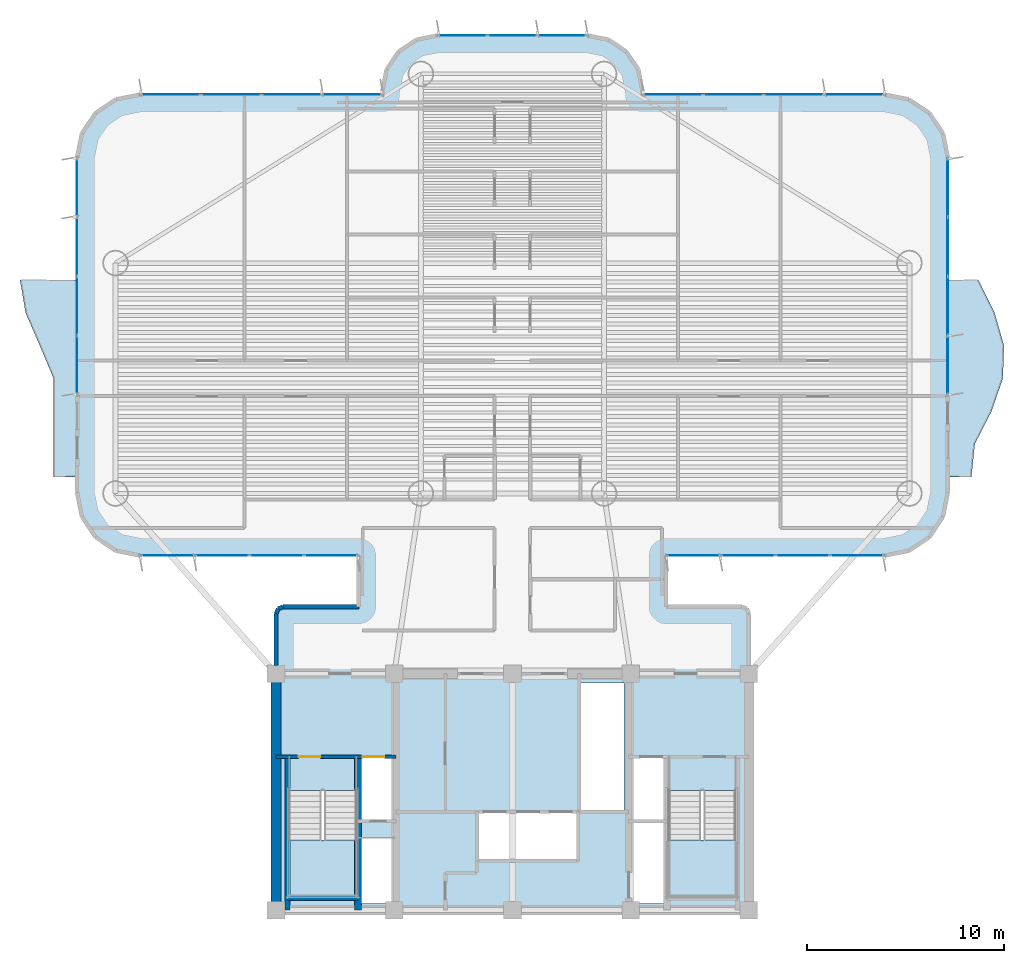
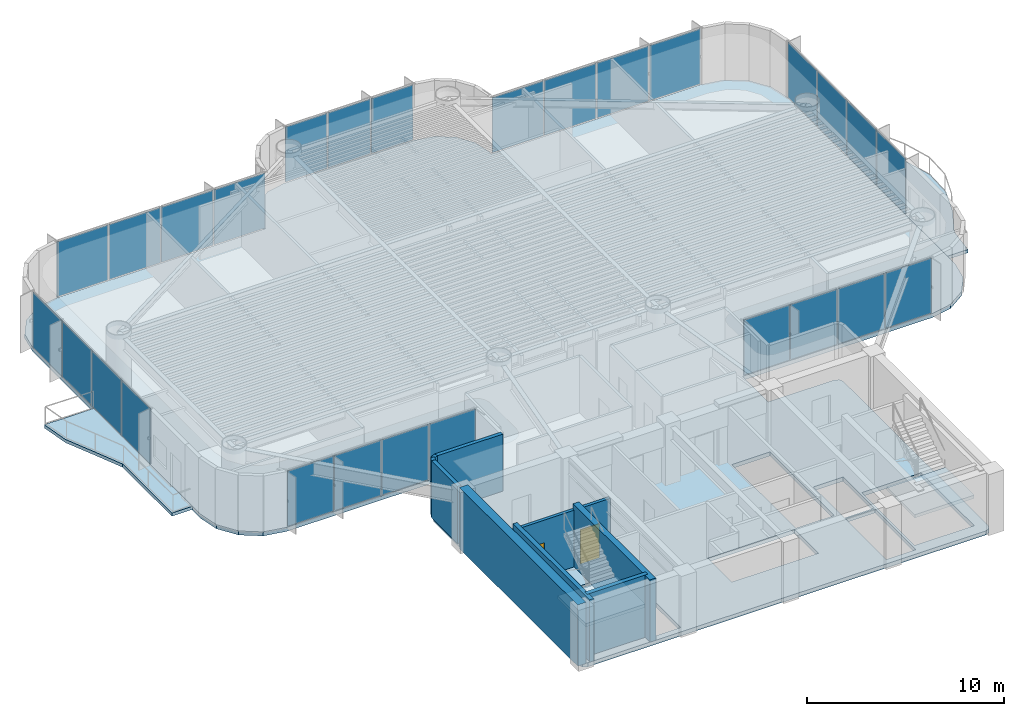
# One storey, part 8 of 16: 27 plates, 9 walls, 5 slabs, 2 doors, 2 openings, 9 elements without a shape of their own.
"""IFC4 building model written with IfcOpenShell, lengths in metres."""

from ifc_helpers import new_model, si_unit, direction, frame, frame_2d, origin, origin_2d, place, context, subcontext, project, spatial, polyline, rectangle, outline, extrude, source, transform, mapped, material, layer, layer_set, type_object, element, fill, aggregate, save


model = new_model("IFC4")

# Units and contexts
model_context = context("Model", 3, precision=1e-05, world=origin(), true_north=direction((0.0, 1.0)))
body_context = subcontext(model_context, "Body", "Model", "MODEL_VIEW")
ifc_project = project(units=[si_unit("LENGTHUNIT", "METRE"), si_unit("AREAUNIT", "SQUARE_METRE"), si_unit("VOLUMEUNIT", "CUBIC_METRE"), si_unit("PLANEANGLEUNIT", "RADIAN"), si_unit("MASSUNIT", "GRAM", prefix="KILO")], contexts=[model_context])

# Site, building, storey
site_placement = place(None, origin())
site = spatial("IfcSite", under=ifc_project, at=site_placement, CompositionType="ELEMENT")
building_placement = place(site_placement, origin())
building = spatial("IfcBuilding", under=site, at=building_placement, Name="Brelvock Crest Care Tower", CompositionType="ELEMENT")
storey_placement = place(building_placement, frame((0.0, 0.0, 101.159912109375)))
storey = spatial("IfcBuildingStorey", under=building, at=storey_placement, Name="L25", CompositionType="ELEMENT", Elevation=101.159912109375)

# Slabs
ifc_material_1 = material(Name="Concrete N50 (50 MPa)", Category="concrete")
ifc_layer_1 = layer(ifc_material_1, 0.22998046875, Name="SLB-FL4")
ifc_layer_set_1 = layer_set([ifc_layer_1], Name="Concrete N50 (50 MPa)")
slab_type_1 = type_object("IfcSlabType", Name="SLB-FL4", PredefinedType="FLOOR", material=ifc_layer_set_1)
slab_1_placement = place(storey_placement, frame((0.0, 0.0, -0.25)))
element("IfcSlab", 1, at=slab_1_placement, inside=storey, type_object=slab_type_1, Name="L25 Main Structural Slab", PredefinedType="FLOOR", context=body_context, shape_type="SweptSolid", body=[
    extrude(outline(polyline([(47.64990234375, 21.39990234375), (43.800048828125, 21.39990234375), (43.800048828125, 24.0), (54.89990234375, 24.0), (56.12451171875, 24.24365234375), (57.16259765625, 24.937255859375), (57.8564453125, 25.975341796875), (58.10009765625, 27.199951171875), (58.10009765625, 44.199951171875), (57.8564453125, 45.424560546875), (57.16259765625, 46.462646484375), (56.12451171875, 47.156494140625), (54.89990234375, 47.39990234375), (42.60009765625, 47.39990234375), (42.60009765625, 47.60009765625), (42.386962890625, 48.67138671875), (41.77978515625, 49.579833984375), (40.87158203125, 50.18701171875), (39.800048828125, 50.39990234375), (32.199951171875, 50.39990234375), (31.12841796875, 50.18701171875), (30.22021484375, 49.579833984375), (29.613037109375, 48.67138671875), (29.39990234375, 47.60009765625), (29.39990234375, 47.39990234375), (17.10009765625, 47.39990234375), (15.87548828125, 47.156494140625), (14.83740234375, 46.462646484375), (14.1435546875, 45.424560546875), (13.89990234375, 44.199951171875), (13.89990234375, 27.199951171875), (14.1435546875, 25.975341796875), (14.83740234375, 24.937255859375), (15.87548828125, 24.24365234375), (17.10009765625, 24.0), (28.199951171875, 24.0), (28.199951171875, 21.39990234375), (24.35009765625, 21.39990234375), (24.1025390625, 21.297607421875), (24.0, 21.050048828125), (24.0, 6.35009765625), (24.1025390625, 6.1025390625), (24.35009765625, 6.0), (47.64990234375, 6.0), (47.8974609375, 6.1025390625), (48.0, 6.35009765625), (48.0, 21.050048828125), (47.8974609375, 21.297607421875), (47.64990234375, 21.39990234375)]), holes=[polyline([(28.239990234375, 10.580078125), (29.97998046875, 10.580078125), (29.97998046875, 13.739990234375), (28.239990234375, 13.739990234375), (28.239990234375, 10.580078125)]), polyline([(42.02001953125, 10.580078125), (43.760009765625, 10.580078125), (43.760009765625, 13.739990234375), (42.02001953125, 13.739990234375), (42.02001953125, 10.580078125)]), polyline([(28.239990234375, 6.340087890625), (29.97998046875, 6.340087890625), (29.97998046875, 9.64990234375), (28.239990234375, 9.64990234375), (28.239990234375, 6.340087890625)]), polyline([(24.6298828125, 12.080078125), (24.6298828125, 6.699951171875), (28.110107421875, 6.699951171875), (28.110107421875, 12.080078125), (24.6298828125, 12.080078125)]), polyline([(43.889892578125, 12.080078125), (43.889892578125, 6.699951171875), (47.3701171875, 6.699951171875), (47.3701171875, 12.080078125), (43.889892578125, 12.080078125)]), polyline([(42.02001953125, 6.340087890625), (43.760009765625, 6.340087890625), (43.760009765625, 10.5), (42.02001953125, 10.5), (42.02001953125, 6.340087890625)]), polyline([(34.22998046875, 8.530029296875), (39.320068359375, 8.530029296875), (39.320068359375, 10.969970703125), (34.22998046875, 10.969970703125), (34.22998046875, 8.530029296875)]), polyline([(39.429931640625, 11.030029296875), (41.669921875, 11.030029296875), (41.669921875, 17.52001953125), (39.429931640625, 17.52001953125), (39.429931640625, 11.030029296875)])]), origin(), (0.0, 0.0, 1.0), 0.25),
])
ifc_layer_2 = layer(ifc_material_1, 0.199951171875, Name="SLB-WB2")
ifc_layer_set_2 = layer_set([ifc_layer_2], Name="Concrete N50 (50 MPa)")
slab_type_2 = type_object("IfcSlabType", Name="SLB-WB2", PredefinedType="FLOOR", material=ifc_layer_set_2)
slab_2_placement = place(storey_placement, frame((0.0, 0.0, -0.199951171875)))
element("IfcSlab", 2, at=slab_2_placement, inside=storey, type_object=slab_type_2, Name="L25 W Sinusoidal Wave Balcony Slab", PredefinedType="FLOOR", context=body_context, shape_type="SweptSolid", body=[
    extrude(outline(polyline([(13.89990234375, 38.0), (11.0, 38.0), (11.279052734375, 36.333251953125), (12.00048828125, 34.666748046875), (12.699951171875, 33.0), (12.699951171875, 31.333251953125), (12.699951171875, 29.666748046875), (12.699951171875, 28.0), (13.89990234375, 28.0), (13.89990234375, 38.0)])), origin(), (0.0, 0.0, 1.0), 0.199951171875),
])
slab_3_placement = place(storey_placement, frame((0.0, 0.0, -0.199951171875)))
element("IfcSlab", 3, at=slab_3_placement, inside=storey, type_object=slab_type_2, Name="L25 E Sinusoidal Wave Balcony Slab", PredefinedType="FLOOR", context=body_context, shape_type="SweptSolid", body=[
    extrude(outline(polyline([(58.10009765625, 28.0), (59.300048828125, 28.0), (59.473876953125, 29.666748046875), (60.324951171875, 31.333251953125), (60.897216796875, 33.0), (60.9541015625, 34.666748046875), (60.4716796875, 36.333251953125), (59.64990234375, 38.0), (58.10009765625, 38.0), (58.10009765625, 28.0)])), origin(), (0.0, 0.0, 1.0), 0.199951171875),
])

# Stair, slab
ifc_material_2 = material(Name="Concrete N40 (40 MPa)", Category="concrete")
stair_type = type_object("IfcStairType", Name="ST-CORE1", PredefinedType="HALF_TURN_STAIR", material=ifc_material_2)
stair_1_placement = place(storey_placement, origin())
stair_1 = element("IfcStair", 4, at=stair_1_placement, inside=storey, type_object=stair_type, Name="L25 Fire-Isolated Core Stair ST-1", PredefinedType="HALF_TURN_STAIR")
ifc_layer_3 = layer(ifc_material_2, 0.199951171875, Name="STL-1")
ifc_layer_set_3 = layer_set([ifc_layer_3], Name="Concrete N40 (40 MPa)")
slab_type_3 = type_object("IfcSlabType", Name="STL-1", PredefinedType="LANDING", material=ifc_layer_set_3)
slab_4_placement = place(storey_placement, frame((0.0, 0.0, 1.690185546875)))
slab_4 = element("IfcSlab", 5, at=slab_4_placement, type_object=slab_type_3, Name="ST-1 landing 1", PredefinedType="LANDING", context=body_context, shape_type="SweptSolid", body=[
    extrude(outline(polyline([(24.6298828125, 9.56005859375), (24.6298828125, 6.699951171875), (28.110107421875, 6.699951171875), (28.110107421875, 9.56005859375), (24.6298828125, 9.56005859375)])), origin(), (0.0, 0.0, 1.0), 0.199951171875),
])
aggregate(stair_1, [slab_4])

stair_2_placement = place(storey_placement, origin())
stair_2 = element("IfcStair", 6, at=stair_2_placement, inside=storey, type_object=stair_type, Name="L25 Fire-Isolated Core Stair ST-2", PredefinedType="HALF_TURN_STAIR")
slab_5_placement = place(storey_placement, frame((0.0, 0.0, 1.690185546875)))
slab_5 = element("IfcSlab", 7, at=slab_5_placement, type_object=slab_type_3, Name="ST-2 landing 1", PredefinedType="LANDING", context=body_context, shape_type="SweptSolid", body=[
    extrude(outline(polyline([(43.889892578125, 9.56005859375), (43.889892578125, 6.699951171875), (47.3701171875, 6.699951171875), (47.3701171875, 9.56005859375), (43.889892578125, 9.56005859375)])), origin(), (0.0, 0.0, 1.0), 0.199951171875),
])
aggregate(stair_2, [slab_5])

# Curtain wall, plates
ifc_material_3 = material(Name="Dark Glass Double Glazed Low-E", Category="glass")
ifc_layer_4 = layer(ifc_material_3, 0.2099609375, Name="CWS-3")
ifc_layer_set_4 = layer_set([ifc_layer_4], Name="Dark Glass Double Glazed Low-E")
curtain_wall_type = type_object("IfcCurtainWallType", Name="CWS-3", PredefinedType="NOTDEFINED", material=ifc_layer_set_4)
curtain_wall_1_placement = place(storey_placement, origin())
curtain_wall_1 = element("IfcCurtainWall", 8, at=curtain_wall_1_placement, inside=storey, type_object=curtain_wall_type, Name="L25 Curtain Wall E12", PredefinedType="NOTDEFINED")
ifc_layer_5 = layer(ifc_material_3, 0.031982421875, Name="CWP-V1")
ifc_layer_set_5 = layer_set([ifc_layer_5], Name="Dark Glass Double Glazed Low-E")
plate_type = type_object("IfcPlateType", Name="CWP-V1", PredefinedType="CURTAIN_PANEL", material=ifc_layer_set_5)
shared_shape_1 = source(origin(), body_context, "Body", "SweptSolid", [
    extrude(rectangle(XDim=2.68505859375, YDim=0.035888671875, at=origin_2d()), origin(), (0.0, 0.0, 1.0), 3.409912109375),
])
plate_1_placement = place(storey_placement, frame((26.797607421875, 24.0, 0.06005859375), z_axis=(0.0, 0.0, 1.0), x_axis=(-1.0, 0.0, 0.0)))
plate_1 = element("IfcPlate", 9, at=plate_1_placement, type_object=plate_type, Name="CW-3 panel 1.1", PredefinedType="CURTAIN_PANEL", context=body_context, shape_type="MappedRepresentation", body=[
    mapped(shared_shape_1, transform((0.0, 0.0, 0.0), x_axis=(1.0, 0.0, 0.0), y_axis=(0.0, 1.0, 0.0), z_axis=(0.0, 0.0, 1.0), scale=1.0)),
])
plate_2_placement = place(storey_placement, frame((18.50244140625, 24.0, 0.06005859375), z_axis=(0.0, 0.0, 1.0), x_axis=(-1.0, 0.0, 0.0)))
plate_2 = element("IfcPlate", 10, at=plate_2_placement, type_object=plate_type, Name="CW-3 panel 4.1", PredefinedType="CURTAIN_PANEL", context=body_context, shape_type="MappedRepresentation", body=[
    mapped(shared_shape_1, transform((0.0, 0.0, 0.0), x_axis=(1.0, 0.0, 0.0), y_axis=(0.0, 1.0, 0.0), z_axis=(0.0, 0.0, 1.0), scale=1.0)),
])

curtain_wall_2_placement = place(storey_placement, origin())
curtain_wall_2 = element("IfcCurtainWall", 11, at=curtain_wall_2_placement, inside=storey, type_object=curtain_wall_type, Name="L25 Curtain Wall E44", PredefinedType="NOTDEFINED")
plate_3_placement = place(storey_placement, frame((53.49755859375, 24.0, 0.06005859375), z_axis=(0.0, 0.0, 1.0), x_axis=(-1.0, 0.0, 0.0)))
plate_3 = element("IfcPlate", 12, at=plate_3_placement, type_object=plate_type, Name="CW-3 panel 1.1", PredefinedType="CURTAIN_PANEL", context=body_context, shape_type="MappedRepresentation", body=[
    mapped(shared_shape_1, transform((0.0, 0.0, 0.0), x_axis=(1.0, 0.0, 0.0), y_axis=(0.0, 1.0, 0.0), z_axis=(0.0, 0.0, 1.0), scale=1.0)),
])
plate_4_placement = place(storey_placement, frame((45.202392578125, 24.0, 0.06005859375), z_axis=(0.0, 0.0, 1.0), x_axis=(-1.0, 0.0, 0.0)))
plate_4 = element("IfcPlate", 13, at=plate_4_placement, type_object=plate_type, Name="CW-3 panel 4.1", PredefinedType="CURTAIN_PANEL", context=body_context, shape_type="MappedRepresentation", body=[
    mapped(shared_shape_1, transform((0.0, 0.0, 0.0), x_axis=(1.0, 0.0, 0.0), y_axis=(0.0, 1.0, 0.0), z_axis=(0.0, 0.0, 1.0), scale=1.0)),
])

# Plate
shared_shape_2 = source(origin(), body_context, "Body", "SweptSolid", [
    extrude(rectangle(XDim=2.715087890625, YDim=0.035888671875, at=origin_2d()), origin(), (0.0, 0.0, 1.0), 3.409912109375),
])
plate_5_placement = place(storey_placement, frame((24.03759765625, 24.0, 0.06005859375), z_axis=(0.0, 0.0, 1.0), x_axis=(-1.0, 0.0, 0.0)))
plate_5 = element("IfcPlate", 14, at=plate_5_placement, type_object=plate_type, Name="CW-3 panel 2.1", PredefinedType="CURTAIN_PANEL", context=body_context, shape_type="MappedRepresentation", body=[
    mapped(shared_shape_2, transform((0.0, 0.0, 0.0), x_axis=(1.0, 0.0, 0.0), y_axis=(0.0, 1.0, 0.0), z_axis=(0.0, 0.0, 1.0), scale=1.0)),
])

plate_6_placement = place(storey_placement, frame((21.262451171875, 24.0, 0.06005859375), z_axis=(0.0, 0.0, 1.0), x_axis=(-1.0, 0.0, 0.0)))
plate_6 = element("IfcPlate", 15, at=plate_6_placement, type_object=plate_type, Name="CW-3 panel 3.1", PredefinedType="CURTAIN_PANEL", context=body_context, shape_type="MappedRepresentation", body=[
    mapped(shared_shape_2, transform((0.0, 0.0, 0.0), x_axis=(1.0, 0.0, 0.0), y_axis=(0.0, 1.0, 0.0), z_axis=(0.0, 0.0, 1.0), scale=1.0)),
])

aggregate(curtain_wall_1, [plate_1, plate_5, plate_6, plate_2])

plate_7_placement = place(storey_placement, frame((50.737548828125, 24.0, 0.06005859375), z_axis=(0.0, 0.0, 1.0), x_axis=(-1.0, 0.0, 0.0)))
plate_7 = element("IfcPlate", 16, at=plate_7_placement, type_object=plate_type, Name="CW-3 panel 2.1", PredefinedType="CURTAIN_PANEL", context=body_context, shape_type="MappedRepresentation", body=[
    mapped(shared_shape_2, transform((0.0, 0.0, 0.0), x_axis=(1.0, 0.0, 0.0), y_axis=(0.0, 1.0, 0.0), z_axis=(0.0, 0.0, 1.0), scale=1.0)),
])

plate_8_placement = place(storey_placement, frame((47.96240234375, 24.0, 0.06005859375), z_axis=(0.0, 0.0, 1.0), x_axis=(-1.0, 0.0, 0.0)))
plate_8 = element("IfcPlate", 17, at=plate_8_placement, type_object=plate_type, Name="CW-3 panel 3.1", PredefinedType="CURTAIN_PANEL", context=body_context, shape_type="MappedRepresentation", body=[
    mapped(shared_shape_2, transform((0.0, 0.0, 0.0), x_axis=(1.0, 0.0, 0.0), y_axis=(0.0, 1.0, 0.0), z_axis=(0.0, 0.0, 1.0), scale=1.0)),
])

aggregate(curtain_wall_2, [plate_3, plate_7, plate_8, plate_4])

# Curtain wall, plates
curtain_wall_3_placement = place(storey_placement, origin())
curtain_wall_3 = element("IfcCurtainWall", 18, at=curtain_wall_3_placement, inside=storey, type_object=curtain_wall_type, Name="L25 Curtain Wall E17B", PredefinedType="NOTDEFINED")
shared_shape_3 = source(origin(), body_context, "Body", "SweptSolid", [
    extrude(rectangle(XDim=2.922607421875, YDim=0.035888671875, at=origin_2d()), origin(), (0.0, 0.0, 1.0), 3.409912109375),
])
plate_9_placement = place(storey_placement, frame((13.89990234375, 33.671142578125, 0.06005859375), z_axis=(0.0, 0.0, 1.0), x_axis=(0.0, 1.0, 0.0)))
plate_9 = element("IfcPlate", 19, at=plate_9_placement, type_object=plate_type, Name="CW-3 panel 1.1", PredefinedType="CURTAIN_PANEL", context=body_context, shape_type="MappedRepresentation", body=[
    mapped(shared_shape_3, transform((0.0, 0.0, 0.0), x_axis=(1.0, 0.0, 0.0), y_axis=(0.0, 1.0, 0.0), z_axis=(0.0, 0.0, 1.0), scale=1.0)),
])
plate_10_placement = place(storey_placement, frame((13.89990234375, 42.6787109375, 0.06005859375), z_axis=(0.0, 0.0, 1.0), x_axis=(0.0, 1.0, 0.0)))
plate_10 = element("IfcPlate", 20, at=plate_10_placement, type_object=plate_type, Name="CW-3 panel 4.1", PredefinedType="CURTAIN_PANEL", context=body_context, shape_type="MappedRepresentation", body=[
    mapped(shared_shape_3, transform((0.0, 0.0, 0.0), x_axis=(1.0, 0.0, 0.0), y_axis=(0.0, 1.0, 0.0), z_axis=(0.0, 0.0, 1.0), scale=1.0)),
])

curtain_wall_4_placement = place(storey_placement, origin())
curtain_wall_4 = element("IfcCurtainWall", 21, at=curtain_wall_4_placement, inside=storey, type_object=curtain_wall_type, Name="L25 Curtain Wall E39A", PredefinedType="NOTDEFINED")
plate_11_placement = place(storey_placement, frame((58.10009765625, 42.6787109375, 0.06005859375), z_axis=(0.0, 0.0, 1.0), x_axis=(0.0, -1.0, 0.0)))
plate_11 = element("IfcPlate", 22, at=plate_11_placement, type_object=plate_type, Name="CW-3 panel 1.1", PredefinedType="CURTAIN_PANEL", context=body_context, shape_type="MappedRepresentation", body=[
    mapped(shared_shape_3, transform((0.0, 0.0, 0.0), x_axis=(1.0, 0.0, 0.0), y_axis=(0.0, 1.0, 0.0), z_axis=(0.0, 0.0, 1.0), scale=1.0)),
])
plate_12_placement = place(storey_placement, frame((58.10009765625, 33.671142578125, 0.06005859375), z_axis=(0.0, 0.0, 1.0), x_axis=(0.0, -1.0, 0.0)))
plate_12 = element("IfcPlate", 23, at=plate_12_placement, type_object=plate_type, Name="CW-3 panel 4.1", PredefinedType="CURTAIN_PANEL", context=body_context, shape_type="MappedRepresentation", body=[
    mapped(shared_shape_3, transform((0.0, 0.0, 0.0), x_axis=(1.0, 0.0, 0.0), y_axis=(0.0, 1.0, 0.0), z_axis=(0.0, 0.0, 1.0), scale=1.0)),
])

# Plate
shared_shape_4 = source(origin(), body_context, "Body", "SweptSolid", [
    extrude(rectangle(XDim=2.952392578125, YDim=0.035888671875, at=origin_2d()), origin(), (0.0, 0.0, 1.0), 3.409912109375),
])
plate_13_placement = place(storey_placement, frame((13.89990234375, 36.668701171875, 0.06005859375), z_axis=(0.0, 0.0, 1.0), x_axis=(0.0, 1.0, 0.0)))
plate_13 = element("IfcPlate", 24, at=plate_13_placement, type_object=plate_type, Name="CW-3 panel 2.1", PredefinedType="CURTAIN_PANEL", context=body_context, shape_type="MappedRepresentation", body=[
    mapped(shared_shape_4, transform((0.0, 0.0, 0.0), x_axis=(1.0, 0.0, 0.0), y_axis=(0.0, 1.0, 0.0), z_axis=(0.0, 0.0, 1.0), scale=1.0)),
])

plate_14_placement = place(storey_placement, frame((13.89990234375, 39.68115234375, 0.06005859375), z_axis=(0.0, 0.0, 1.0), x_axis=(0.0, 1.0, 0.0)))
plate_14 = element("IfcPlate", 25, at=plate_14_placement, type_object=plate_type, Name="CW-3 panel 3.1", PredefinedType="CURTAIN_PANEL", context=body_context, shape_type="MappedRepresentation", body=[
    mapped(shared_shape_4, transform((0.0, 0.0, 0.0), x_axis=(1.0, 0.0, 0.0), y_axis=(0.0, 1.0, 0.0), z_axis=(0.0, 0.0, 1.0), scale=1.0)),
])

aggregate(curtain_wall_3, [plate_9, plate_13, plate_14, plate_10])

plate_15_placement = place(storey_placement, frame((58.10009765625, 39.68115234375, 0.06005859375), z_axis=(0.0, 0.0, 1.0), x_axis=(0.0, -1.0, 0.0)))
plate_15 = element("IfcPlate", 26, at=plate_15_placement, type_object=plate_type, Name="CW-3 panel 2.1", PredefinedType="CURTAIN_PANEL", context=body_context, shape_type="MappedRepresentation", body=[
    mapped(shared_shape_4, transform((0.0, 0.0, 0.0), x_axis=(1.0, 0.0, 0.0), y_axis=(0.0, 1.0, 0.0), z_axis=(0.0, 0.0, 1.0), scale=1.0)),
])

plate_16_placement = place(storey_placement, frame((58.10009765625, 36.668701171875, 0.06005859375), z_axis=(0.0, 0.0, 1.0), x_axis=(0.0, -1.0, 0.0)))
plate_16 = element("IfcPlate", 27, at=plate_16_placement, type_object=plate_type, Name="CW-3 panel 3.1", PredefinedType="CURTAIN_PANEL", context=body_context, shape_type="MappedRepresentation", body=[
    mapped(shared_shape_4, transform((0.0, 0.0, 0.0), x_axis=(1.0, 0.0, 0.0), y_axis=(0.0, 1.0, 0.0), z_axis=(0.0, 0.0, 1.0), scale=1.0)),
])

aggregate(curtain_wall_4, [plate_11, plate_15, plate_16, plate_12])

# Curtain wall, plates
curtain_wall_5_placement = place(storey_placement, origin())
curtain_wall_5 = element("IfcCurtainWall", 28, at=curtain_wall_5_placement, inside=storey, type_object=curtain_wall_type, Name="L25 Curtain Wall E22", PredefinedType="NOTDEFINED")
shared_shape_5 = source(origin(), body_context, "Body", "SweptSolid", [
    extrude(rectangle(XDim=2.985107421875, YDim=0.035888671875, at=origin_2d()), origin(), (0.0, 0.0, 1.0), 3.409912109375),
])
plate_17_placement = place(storey_placement, frame((18.652587890625, 47.39990234375, 0.06005859375), z_axis=(0.0, 0.0, 1.0), x_axis=(1.0, 0.0, 0.0)))
plate_17 = element("IfcPlate", 29, at=plate_17_placement, type_object=plate_type, Name="CW-3 panel 1.1", PredefinedType="CURTAIN_PANEL", context=body_context, shape_type="MappedRepresentation", body=[
    mapped(shared_shape_5, transform((0.0, 0.0, 0.0), x_axis=(1.0, 0.0, 0.0), y_axis=(0.0, 1.0, 0.0), z_axis=(0.0, 0.0, 1.0), scale=1.0)),
])
plate_18_placement = place(storey_placement, frame((27.847412109375, 47.39990234375, 0.06005859375), z_axis=(0.0, 0.0, 1.0), x_axis=(1.0, 0.0, 0.0)))
plate_18 = element("IfcPlate", 30, at=plate_18_placement, type_object=plate_type, Name="CW-3 panel 4.1", PredefinedType="CURTAIN_PANEL", context=body_context, shape_type="MappedRepresentation", body=[
    mapped(shared_shape_5, transform((0.0, 0.0, 0.0), x_axis=(1.0, 0.0, 0.0), y_axis=(0.0, 1.0, 0.0), z_axis=(0.0, 0.0, 1.0), scale=1.0)),
])

curtain_wall_6_placement = place(storey_placement, origin())
curtain_wall_6 = element("IfcCurtainWall", 31, at=curtain_wall_6_placement, inside=storey, type_object=curtain_wall_type, Name="L25 Curtain Wall E34", PredefinedType="NOTDEFINED")
plate_19_placement = place(storey_placement, frame((44.152587890625, 47.39990234375, 0.06005859375), z_axis=(0.0, 0.0, 1.0), x_axis=(1.0, 0.0, 0.0)))
plate_19 = element("IfcPlate", 32, at=plate_19_placement, type_object=plate_type, Name="CW-3 panel 1.1", PredefinedType="CURTAIN_PANEL", context=body_context, shape_type="MappedRepresentation", body=[
    mapped(shared_shape_5, transform((0.0, 0.0, 0.0), x_axis=(1.0, 0.0, 0.0), y_axis=(0.0, 1.0, 0.0), z_axis=(0.0, 0.0, 1.0), scale=1.0)),
])
plate_20_placement = place(storey_placement, frame((53.347412109375, 47.39990234375, 0.06005859375), z_axis=(0.0, 0.0, 1.0), x_axis=(1.0, 0.0, 0.0)))
plate_20 = element("IfcPlate", 33, at=plate_20_placement, type_object=plate_type, Name="CW-3 panel 4.1", PredefinedType="CURTAIN_PANEL", context=body_context, shape_type="MappedRepresentation", body=[
    mapped(shared_shape_5, transform((0.0, 0.0, 0.0), x_axis=(1.0, 0.0, 0.0), y_axis=(0.0, 1.0, 0.0), z_axis=(0.0, 0.0, 1.0), scale=1.0)),
])

# Plate
shared_shape_6 = source(origin(), body_context, "Body", "SweptSolid", [
    extrude(rectangle(XDim=3.014892578125, YDim=0.035888671875, at=origin_2d()), origin(), (0.0, 0.0, 1.0), 3.409912109375),
])
plate_21_placement = place(storey_placement, frame((21.71240234375, 47.39990234375, 0.06005859375), z_axis=(0.0, 0.0, 1.0), x_axis=(1.0, 0.0, 0.0)))
plate_21 = element("IfcPlate", 34, at=plate_21_placement, type_object=plate_type, Name="CW-3 panel 2.1", PredefinedType="CURTAIN_PANEL", context=body_context, shape_type="MappedRepresentation", body=[
    mapped(shared_shape_6, transform((0.0, 0.0, 0.0), x_axis=(1.0, 0.0, 0.0), y_axis=(0.0, 1.0, 0.0), z_axis=(0.0, 0.0, 1.0), scale=1.0)),
])

plate_22_placement = place(storey_placement, frame((24.78759765625, 47.39990234375, 0.06005859375), z_axis=(0.0, 0.0, 1.0), x_axis=(1.0, 0.0, 0.0)))
plate_22 = element("IfcPlate", 35, at=plate_22_placement, type_object=plate_type, Name="CW-3 panel 3.1", PredefinedType="CURTAIN_PANEL", context=body_context, shape_type="MappedRepresentation", body=[
    mapped(shared_shape_6, transform((0.0, 0.0, 0.0), x_axis=(1.0, 0.0, 0.0), y_axis=(0.0, 1.0, 0.0), z_axis=(0.0, 0.0, 1.0), scale=1.0)),
])

aggregate(curtain_wall_5, [plate_17, plate_21, plate_22, plate_18])

plate_23_placement = place(storey_placement, frame((47.21240234375, 47.39990234375, 0.06005859375), z_axis=(0.0, 0.0, 1.0), x_axis=(1.0, 0.0, 0.0)))
plate_23 = element("IfcPlate", 36, at=plate_23_placement, type_object=plate_type, Name="CW-3 panel 2.1", PredefinedType="CURTAIN_PANEL", context=body_context, shape_type="MappedRepresentation", body=[
    mapped(shared_shape_6, transform((0.0, 0.0, 0.0), x_axis=(1.0, 0.0, 0.0), y_axis=(0.0, 1.0, 0.0), z_axis=(0.0, 0.0, 1.0), scale=1.0)),
])

plate_24_placement = place(storey_placement, frame((50.28759765625, 47.39990234375, 0.06005859375), z_axis=(0.0, 0.0, 1.0), x_axis=(1.0, 0.0, 0.0)))
plate_24 = element("IfcPlate", 37, at=plate_24_placement, type_object=plate_type, Name="CW-3 panel 3.1", PredefinedType="CURTAIN_PANEL", context=body_context, shape_type="MappedRepresentation", body=[
    mapped(shared_shape_6, transform((0.0, 0.0, 0.0), x_axis=(1.0, 0.0, 0.0), y_axis=(0.0, 1.0, 0.0), z_axis=(0.0, 0.0, 1.0), scale=1.0)),
])

aggregate(curtain_wall_6, [plate_19, plate_23, plate_24, plate_20])

# Curtain wall, plates
curtain_wall_7_placement = place(storey_placement, origin())
curtain_wall_7 = element("IfcCurtainWall", 38, at=curtain_wall_7_placement, inside=storey, type_object=curtain_wall_type, Name="L25 Curtain Wall E28", PredefinedType="NOTDEFINED")
shared_shape_7 = source(origin(), body_context, "Body", "SweptSolid", [
    extrude(rectangle(XDim=2.443359375, YDim=0.035888671875, at=origin_2d()), origin(), (0.0, 0.0, 1.0), 3.409912109375),
])
plate_25_placement = place(storey_placement, frame((33.481689453125, 50.39990234375, 0.06005859375), z_axis=(0.0, 0.0, 1.0), x_axis=(1.0, 0.0, 0.0)))
plate_25 = element("IfcPlate", 39, at=plate_25_placement, type_object=plate_type, Name="CW-3 panel 1.1", PredefinedType="CURTAIN_PANEL", context=body_context, shape_type="MappedRepresentation", body=[
    mapped(shared_shape_7, transform((0.0, 0.0, 0.0), x_axis=(1.0, 0.0, 0.0), y_axis=(0.0, 1.0, 0.0), z_axis=(0.0, 0.0, 1.0), scale=1.0)),
])
plate_26_placement = place(storey_placement, frame((38.518310546875, 50.39990234375, 0.06005859375), z_axis=(0.0, 0.0, 1.0), x_axis=(1.0, 0.0, 0.0)))
plate_26 = element("IfcPlate", 40, at=plate_26_placement, type_object=plate_type, Name="CW-3 panel 3.1", PredefinedType="CURTAIN_PANEL", context=body_context, shape_type="MappedRepresentation", body=[
    mapped(shared_shape_7, transform((0.0, 0.0, 0.0), x_axis=(1.0, 0.0, 0.0), y_axis=(0.0, 1.0, 0.0), z_axis=(0.0, 0.0, 1.0), scale=1.0)),
])
shared_shape_8 = source(origin(), body_context, "Body", "SweptSolid", [
    extrude(rectangle(XDim=2.473388671875, YDim=0.035888671875, at=origin_2d()), origin(), (0.0, 0.0, 1.0), 3.409912109375),
])
plate_27_placement = place(storey_placement, frame((36.0, 50.39990234375, 0.06005859375), z_axis=(0.0, 0.0, 1.0), x_axis=(1.0, 0.0, 0.0)))
plate_27 = element("IfcPlate", 41, at=plate_27_placement, type_object=plate_type, Name="CW-3 panel 2.1", PredefinedType="CURTAIN_PANEL", context=body_context, shape_type="MappedRepresentation", body=[
    mapped(shared_shape_8, transform((0.0, 0.0, 0.0), x_axis=(1.0, 0.0, 0.0), y_axis=(0.0, 1.0, 0.0), z_axis=(0.0, 0.0, 1.0), scale=1.0)),
])
aggregate(curtain_wall_7, [plate_25, plate_27, plate_26])

# Walls
ifc_material_4 = material(Name="Concrete S80 (80 MPa)", Category="concrete")
ifc_layer_6 = layer(ifc_material_4, 0.5, Name="WL-CS2")
ifc_layer_set_6 = layer_set([ifc_layer_6], Name="Concrete S80 (80 MPa)")
wall_type_1 = type_object("IfcWallType", Name="WL-CS2", PredefinedType="SHEAR", material=ifc_layer_set_6)
wall_1_placement = place(storey_placement, frame((24.0, 6.0, 0.0), z_axis=(0.0, 0.0, 1.0), x_axis=(0.0, 1.0, 0.0)))
element("IfcWall", 42, at=wall_1_placement, inside=storey, type_object=wall_type_1, Name="L25 Core West Shear Wall", PredefinedType="SHEAR", context=body_context, shape_type="SweptSolid", body=[
    extrude(rectangle(XDim=12.0, YDim=0.5, at=frame_2d((6.0, 0.0))), origin(), (0.0, 0.0, 1.0), 3.780029296875),
])
ifc_layer_7 = layer(ifc_material_4, 0.35009765625, Name="WL-CS5")
ifc_layer_set_7 = layer_set([ifc_layer_7], Name="Concrete S80 (80 MPa)")
wall_type_2 = type_object("IfcWallType", Name="WL-CS5", PredefinedType="SHEAR", material=ifc_layer_set_7)
wall_2_placement = place(storey_placement, frame((28.14990234375, 6.0, 0.0), z_axis=(0.0, 0.0, 1.0), x_axis=(0.0, 1.0, 0.0)))
element("IfcWall", 43, at=wall_2_placement, inside=storey, type_object=wall_type_2, Name="L25 Core Stair ST-1 East Shear Wall", PredefinedType="SHEAR", context=body_context, shape_type="SweptSolid", body=[
    extrude(rectangle(XDim=7.780029296875, YDim=0.35009765625, at=frame_2d((3.89013671875, 0.0))), origin(), (0.0, 0.0, 1.0), 3.85009765625),
])
ifc_layer_8 = layer(ifc_material_4, 0.25, Name="WL-CS6")
ifc_layer_set_8 = layer_set([ifc_layer_8], Name="Concrete S80 (80 MPa)")
wall_type_3 = type_object("IfcWallType", Name="WL-CS6", PredefinedType="SHEAR", material=ifc_layer_set_8)
wall_3_placement = place(storey_placement, frame((24.580078125, 6.0, 0.0), z_axis=(0.0, 0.0, 1.0), x_axis=(0.0, 1.0, 0.0)))
element("IfcWall", 44, at=wall_3_placement, inside=storey, type_object=wall_type_3, Name="L25 Core Stair ST-1 West Shear Wall", PredefinedType="SHEAR", context=body_context, shape_type="SweptSolid", body=[
    extrude(rectangle(XDim=7.780029296875, YDim=0.25, at=frame_2d((3.89013671875, 0.0))), origin(), (0.0, 0.0, 1.0), 3.85009765625),
])
wall_4_placement = place(storey_placement, frame((24.580078125, 6.6201171875, 0.0), z_axis=(0.0, 0.0, 1.0), x_axis=(1.0, 0.0, 0.0)))
element("IfcWall", 45, at=wall_4_placement, inside=storey, type_object=wall_type_3, Name="L25 Core Stair ST-1 South Shear Wall", PredefinedType="SHEAR", context=body_context, shape_type="SweptSolid", body=[
    extrude(rectangle(XDim=3.56982421875, YDim=0.25, at=frame_2d((1.784912109375, 0.0))), origin(), (0.0, 0.0, 1.0), 3.85009765625),
])
ifc_material_5 = material(Name="Precast concrete N40 (40 MPa)", Category="concrete")
ifc_layer_9 = layer(ifc_material_5, 0.215087890625, Name="WL-EX2")
ifc_layer_set_9 = layer_set([ifc_layer_9], Name="Precast concrete N40 (40 MPa)")
wall_type_4 = type_object("IfcWallType", Name="WL-EX2", PredefinedType="SOLIDWALL", material=ifc_layer_set_9)
wall_5_placement = place(storey_placement, frame((24.0, 18.429931640625, 0.0), z_axis=(0.0, 0.0, 1.0), x_axis=(0.0, 1.0, 0.0)))
element("IfcWall", 46, at=wall_5_placement, inside=storey, type_object=wall_type_4, Name="L25 Rounded Corner Wall 07", PredefinedType="SOLIDWALL", context=body_context, shape_type="SweptSolid", body=[
    extrude(rectangle(XDim=2.6201171875, YDim=0.215087890625, at=frame_2d((1.31005859375, 0.0))), origin(), (0.0, 0.0, 1.0), 3.530029296875),
])
wall_6_placement = place(storey_placement, frame((24.0, 21.050048828125, 0.0), z_axis=(0.0, 0.0, 1.0), x_axis=(0.382673670509, 0.923883575944, 0.0)))
element("IfcWall", 47, at=wall_6_placement, inside=storey, type_object=wall_type_4, Name="L25 Rounded Corner Wall 08", PredefinedType="SOLIDWALL", context=body_context, shape_type="SweptSolid", body=[
    extrude(rectangle(XDim=0.26806640625, YDim=0.215087890625, at=frame_2d((0.134033203125, 0.0))), origin(), (0.0, 0.0, 1.0), 3.530029296875),
])
wall_7_placement = place(storey_placement, frame((24.1025390625, 21.297607421875, 0.0), z_axis=(0.0, 0.0, 1.0), x_axis=(0.924205486139, 0.381895560841, 0.0)))
element("IfcWall", 48, at=wall_7_placement, inside=storey, type_object=wall_type_4, Name="L25 Rounded Corner Wall 09", PredefinedType="SOLIDWALL", context=body_context, shape_type="SweptSolid", body=[
    extrude(rectangle(XDim=0.267822265625, YDim=0.215087890625, at=frame_2d((0.1337890625, 0.0))), origin(), (0.0, 0.0, 1.0), 3.530029296875),
])
wall_8_placement = place(storey_placement, frame((24.35009765625, 21.39990234375, 0.0), z_axis=(0.0, 0.0, 1.0), x_axis=(1.0, 0.0, 0.0)))
element("IfcWall", 49, at=wall_8_placement, inside=storey, type_object=wall_type_4, Name="L25 Rounded Corner Wall 10", PredefinedType="SOLIDWALL", context=body_context, shape_type="SweptSolid", body=[
    extrude(rectangle(XDim=3.849853515625, YDim=0.215087890625, at=frame_2d((1.9248046875, 0.0))), origin(), (0.0, 0.0, 1.0), 3.530029296875),
])

# Wall, openings, doors
ifc_material_6 = material(Name="Masonry Blockwork Acoustic Partition", Category="masonry")
ifc_layer_10 = layer(ifc_material_6, 0.179931640625, Name="WL-SHF1")
ifc_layer_set_10 = layer_set([ifc_layer_10], Name="Masonry Blockwork Acoustic Partition")
wall_type_5 = type_object("IfcWallType", Name="WL-SHF1", PredefinedType="PARTITIONING", material=ifc_layer_set_10)
wall_9_placement = place(storey_placement, frame((24.0, 13.780029296875, 0.0), z_axis=(0.0, 0.0, 1.0), x_axis=(1.0, 0.0, 0.0)))
wall_9 = element("IfcWall", 50, at=wall_9_placement, inside=storey, type_object=wall_type_5, Name="L25 Interior Wall WL-ST1-N-L25", PredefinedType="PARTITIONING", context=body_context, shape_type="SweptSolid", body=[
    extrude(rectangle(XDim=6.10009765625, YDim=0.179931640625, at=frame_2d((3.050048828125, 0.0))), origin(), (0.0, 0.0, 1.0), 3.5),
])
opening_1_placement = place(wall_9_placement, frame((1.14990234375, 0.0, 0.0)))
opening_1 = element("IfcOpeningElement", 51, at=opening_1_placement, cuts=wall_9, Name="Opening SD-1", PredefinedType="OPENING", context=body_context, shape_type="SweptSolid", body=[
    extrude(rectangle(XDim=1.10009765625, YDim=2.10009765625, at=origin_2d()), frame((0.550048828125, 0.10009765625, 1.050048828125), z_axis=(0.0, -1.0, 0.0), x_axis=(1.0, 0.0, 0.0)), (0.0, 0.0, 1.0), 0.199951171875),
])
opening_2_placement = place(wall_9_placement, frame((4.39990234375, 0.0, 0.0)))
opening_2 = element("IfcOpeningElement", 52, at=opening_2_placement, cuts=wall_9, Name="Opening LD", PredefinedType="OPENING", context=body_context, shape_type="SweptSolid", body=[
    extrude(rectangle(XDim=1.10009765625, YDim=2.10009765625, at=origin_2d()), frame((0.550048828125, 0.10009765625, 1.050048828125), z_axis=(0.0, -1.0, 0.0), x_axis=(1.0, 0.0, 0.0)), (0.0, 0.0, 1.0), 0.199951171875),
])
ifc_material_7 = material(Name="Steel Grade 350", Category="steel")
door_type_1 = type_object("IfcDoorType", Name="DR-ST1", OperationType="NOTDEFINED", PredefinedType="DOOR", material=ifc_material_7)
shared_shape_9 = source(origin(), body_context, "Body", "SweptSolid", [
    extrude(rectangle(XDim=1.10009765625, YDim=2.10009765625, at=origin_2d()), frame((0.550048828125, 0.02490234375, 1.050048828125), z_axis=(0.0, -1.0, 0.0), x_axis=(1.0, 0.0, 0.0)), (0.0, 0.0, 1.0), 0.050048828125),
])
door_1_placement = place(opening_1_placement, origin())
door_1 = element("IfcDoor", 53, at=door_1_placement, inside=storey, type_object=door_type_1, Name="L25 Fire Stair ST-1 Door", OperationType="SINGLE_SWING_LEFT", OverallHeight=2.10009765625, OverallWidth=1.10009765625, PredefinedType="DOOR", context=body_context, shape_type="MappedRepresentation", body=[
    mapped(shared_shape_9, transform((0.0, 0.0, 0.0), x_axis=(1.0, 0.0, 0.0), y_axis=(0.0, 1.0, 0.0), z_axis=(0.0, 0.0, 1.0), scale=1.0)),
])
fill(opening_1, door_1)
door_type_2 = type_object("IfcDoorType", Name="DR-LD1", OperationType="NOTDEFINED", PredefinedType="DOOR", material=ifc_material_7)
shared_shape_10 = source(origin(), body_context, "Body", "SweptSolid", [
    extrude(rectangle(XDim=1.10009765625, YDim=2.10009765625, at=origin_2d()), frame((0.550048828125, 0.02490234375, 1.050048828125), z_axis=(0.0, -1.0, 0.0), x_axis=(1.0, 0.0, 0.0)), (0.0, 0.0, 1.0), 0.050048828125),
])
door_2_placement = place(opening_2_placement, origin())
door_2 = element("IfcDoor", 54, at=door_2_placement, inside=storey, type_object=door_type_2, Name="L25 Firefighting Lift FFL-1 Landing Door", OperationType="SLIDING_TO_LEFT", OverallHeight=2.10009765625, OverallWidth=1.10009765625, PredefinedType="DOOR", context=body_context, shape_type="MappedRepresentation", body=[
    mapped(shared_shape_10, transform((0.0, 0.0, 0.0), x_axis=(1.0, 0.0, 0.0), y_axis=(0.0, 1.0, 0.0), z_axis=(0.0, 0.0, 1.0), scale=1.0)),
])
fill(opening_2, door_2)

save(model, "model.ifc")
